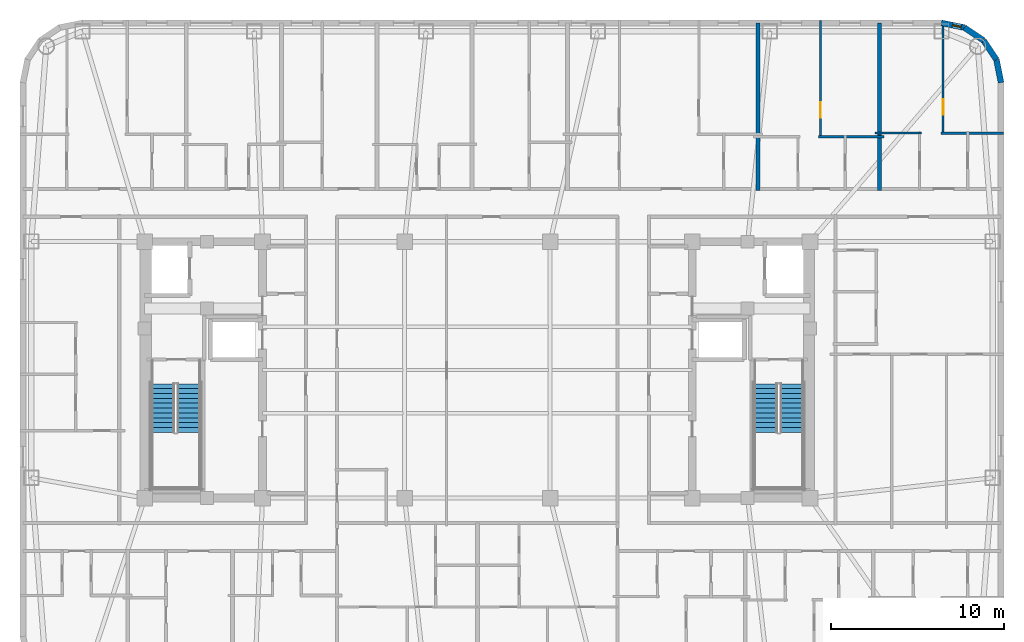
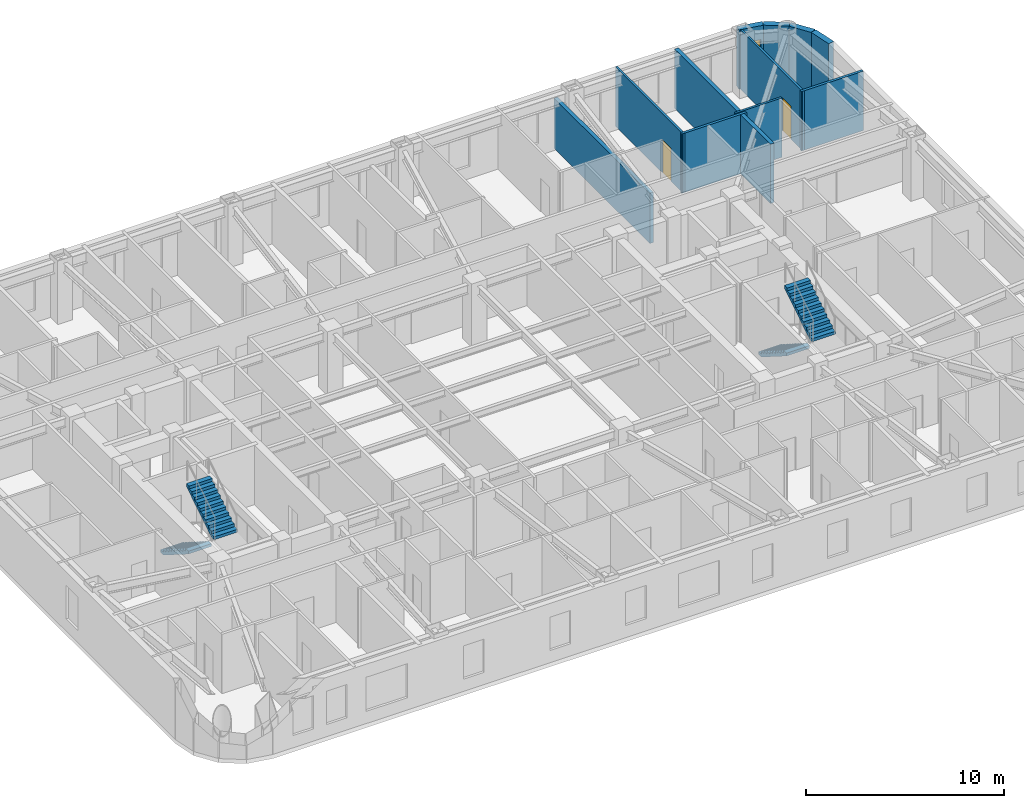
# One storey, part 9 of 11: 11 walls, 4 stair flights, 2 doors, 1 window, 3 openings, 2 elements without a shape of their own.
"""IFC4 building model written with IfcOpenShell, lengths in metres."""

from ifc_helpers import new_model, si_unit, direction, frame, frame_2d, origin, place, context, subcontext, project, spatial, polyline, rectangle, outline, extrude, material, layer, layer_set, type_object, element, fill, aggregate, save


model = new_model("IFC4")

# Units and contexts
model_context = context("Model", 3, precision=1e-05, world=origin(), true_north=direction((0.0, 1.0)))
body_context = subcontext(model_context, "Body", "Model", "MODEL_VIEW")
ifc_project = project(units=[si_unit("LENGTHUNIT", "METRE"), si_unit("AREAUNIT", "SQUARE_METRE"), si_unit("VOLUMEUNIT", "CUBIC_METRE"), si_unit("PLANEANGLEUNIT", "RADIAN"), si_unit("MASSUNIT", "GRAM", prefix="KILO")], contexts=[model_context])

# Site, building, storey
site_placement = place(None, origin())
site = spatial("IfcSite", under=ifc_project, at=site_placement, CompositionType="ELEMENT")
building_placement = place(site_placement, origin())
building = spatial("IfcBuilding", under=site, at=building_placement, Name="Voryun Gate Residences", CompositionType="ELEMENT")
storey_placement = place(building_placement, frame((0.0, 0.0, 239.199951171875)))
storey = spatial("IfcBuildingStorey", under=building, at=storey_placement, Name="L59", CompositionType="ELEMENT", Elevation=239.199951171875)

# Wall, opening, window
ifc_material_1 = material(Name="Charcoal terracotta masonry", Category="masonry")
ifc_layer_1 = layer(ifc_material_1, 0.340087890625, Name="W_EXT_TERRACOTTA_340")
ifc_layer_set_1 = layer_set([ifc_layer_1], Name="Charcoal terracotta masonry")
wall_type_1 = type_object("IfcWallType", Name="W_EXT_TERRACOTTA_340", PredefinedType="ELEMENTEDWALL", material=ifc_layer_set_1)
wall_1_placement = place(storey_placement, frame((26.783203125, 20.030029296875, 0.0), z_axis=(0.0, 0.0, 1.0), x_axis=(0.980788153188, -0.195075878998, 0.0)))
wall_1 = element("IfcWall", 1, at=wall_1_placement, inside=storey, type_object=wall_type_1, Name="Exterior wall WEXT-L59-12", PredefinedType="ELEMENTEDWALL", context=body_context, shape_type="SweptSolid", body=[
    extrude(rectangle(XDim=1.354248046875, YDim=0.340087890625, at=frame_2d((0.67724609375, 0.0))), origin(), (0.0, 0.0, 1.0), 3.650146484375),
])
opening_1_placement = place(wall_1_placement, frame((0.656982421875, 0.0, 0.75)))
opening_1 = element("IfcOpeningElement", 2, at=opening_1_placement, cuts=wall_1, Name="Opening WN10", PredefinedType="OPENING", context=body_context, shape_type="SweptSolid", body=[
    extrude(rectangle(XDim=0.52001953125, YDim=2.050048828125, at=frame_2d((0.260009765625, 1.02490234375))), frame((0.0, 0.179931640625, 0.0), z_axis=(0.0, -1.0, 0.0), x_axis=(1.0, 0.0, 0.0)), (0.0, 0.0, 1.0), 0.360107421875),
])
ifc_material_2 = material(Name="Laminated low-E glass", Category="glass")
window_type = type_object("IfcWindowType", Name="WN_PAGODA_LANCET_520", PartitioningType="SINGLE_PANEL", PredefinedType="WINDOW", material=ifc_material_2)
window_placement = place(opening_1_placement, origin())
window = element("IfcWindow", 3, at=window_placement, inside=storey, type_object=window_type, Name="Window WN-L59-DWFIX-14", OverallHeight=2.050048828125, OverallWidth=0.52001953125, PartitioningType="SINGLE_PANEL", PredefinedType="WINDOW", context=body_context, shape_type="SweptSolid", body=[
    extrude(rectangle(XDim=0.52001953125, YDim=2.050048828125, at=frame_2d((0.260009765625, 1.02490234375))), frame((0.0, 0.030029296875, 0.0), z_axis=(0.0, -1.0, 0.0), x_axis=(1.0, 0.0, 0.0)), (0.0, 0.0, 1.0), 0.06005859375),
])
fill(opening_1, window)

# Walls
for number, where, z_axis, x_axis, name in (
    (4, (28.111328125, 19.765869140625, 0.0), (0.0, 0.0, 1.0), (0.831403586725, -0.555669034571, 0.0), "Exterior wall WEXT-L59-13"),
    (5, (29.222900390625, 19.02294921875, 0.0), (0.0, 0.0, 1.0), (0.555669034571, -0.831403586725, 0.0), "Exterior wall WEXT-L59-14"),
):
    element("IfcWall", number, at=place(storey_placement, frame(where, z_axis=z_axis, x_axis=x_axis)), inside=storey, type_object=wall_type_1, Name=name, PredefinedType="ELEMENTEDWALL", context=body_context, shape_type="SweptSolid", body=[
        extrude(rectangle(XDim=1.3369140625, YDim=0.340087890625, at=frame_2d((0.66845703125, 0.0))), origin(), (0.0, 0.0, 1.0), 3.650146484375),
    ])
wall_2_placement = place(storey_placement, frame((29.9658203125, 17.911376953125, 0.0), z_axis=(0.0, 0.0, 1.0), x_axis=(0.195075878998, -0.980788153188, 0.0)))
element("IfcWall", 6, at=wall_2_placement, inside=storey, type_object=wall_type_1, Name="Exterior wall WEXT-L59-15", PredefinedType="ELEMENTEDWALL", context=body_context, shape_type="SweptSolid", body=[
    extrude(rectangle(XDim=1.354248046875, YDim=0.340087890625, at=frame_2d((0.67724609375, 0.0))), origin(), (0.0, 0.0, 1.0), 3.650146484375),
])
ifc_material_3 = material(Name="Concrete C40/50", Category="concrete")
ifc_layer_2 = layer(ifc_material_3, 0.219970703125, Name="W_PARTY_ACOUSTIC_220")
ifc_layer_set_2 = layer_set([ifc_layer_2], Name="Concrete C40/50")
wall_type_2 = type_object("IfcWallType", Name="W_PARTY_ACOUSTIC_220", PredefinedType="PARTITIONING", material=ifc_layer_set_2)
wall_3_placement = place(storey_placement, frame((16.199951171875, 10.3701171875, 0.0), z_axis=(0.0, 0.0, 1.0), x_axis=(0.0, 1.0, 0.0)))
element("IfcWall", 7, at=wall_3_placement, inside=storey, type_object=wall_type_2, Name="Partition wall WP-L59-NPTY-6", PredefinedType="PARTITIONING", context=body_context, shape_type="SweptSolid", body=[
    extrude(rectangle(XDim=9.659912109375, YDim=0.219970703125, at=frame_2d((4.830078125, 0.0))), origin(), (0.0, 0.0, 1.0), 3.090087890625),
])
wall_4_placement = place(storey_placement, frame((23.218017578125, 10.3701171875, 0.0), z_axis=(0.0, 0.0, 1.0), x_axis=(0.0, 1.0, 0.0)))
element("IfcWall", 8, at=wall_4_placement, inside=storey, type_object=wall_type_2, Name="Partition wall WP-L59-NPTY-7", PredefinedType="PARTITIONING", context=body_context, shape_type="SweptSolid", body=[
    extrude(rectangle(XDim=9.659912109375, YDim=0.219970703125, at=frame_2d((4.830078125, 0.0))), origin(), (0.0, 0.0, 1.0), 3.650146484375),
])

# Wall, opening, door
ifc_material_4 = material(Name="Gypsum acoustic partition")
ifc_layer_3 = layer(ifc_material_4, 0.125, Name="W_UNIT_PART_125")
ifc_layer_set_3 = layer_set([ifc_layer_3], Name="Gypsum acoustic partition")
wall_type_3 = type_object("IfcWallType", Name="W_UNIT_PART_125", PredefinedType="PARTITIONING", material=ifc_layer_set_3)
wall_5_placement = place(storey_placement, frame((19.80810546875, 13.3798828125, 0.0), z_axis=(0.0, 0.0, 1.0), x_axis=(0.0, 1.0, 0.0)))
wall_5 = element("IfcWall", 9, at=wall_5_placement, inside=storey, type_object=wall_type_3, Name="Partition wall WP-L59-N7-OVR", PredefinedType="PARTITIONING", context=body_context, shape_type="SweptSolid", body=[
    extrude(rectangle(XDim=6.800048828125, YDim=0.125, at=frame_2d((3.39990234375, 0.0))), origin(), (0.0, 0.0, 1.0), 3.650146484375),
])
opening_2_placement = place(wall_5_placement, frame((1.181884765625, 0.0, 0.0)))
opening_2 = element("IfcOpeningElement", 10, at=opening_2_placement, cuts=wall_5, Name="Opening D-INT-2", PredefinedType="OPENING", context=body_context, shape_type="SweptSolid", body=[
    extrude(rectangle(XDim=0.89990234375, YDim=2.050048828125, at=frame_2d((0.449951171875, 1.02490234375))), frame((0.0, 0.072509765625, 0.0), z_axis=(0.0, -1.0, 0.0), x_axis=(1.0, 0.0, 0.0)), (0.0, 0.0, 1.0), 0.14501953125),
])
ifc_material_5 = material(Name="Architectural oak veneer")
door_type = type_object("IfcDoorType", Name="DR_INT_BATH_900", OperationType="NOTDEFINED", PredefinedType="DOOR", material=ifc_material_5)
door_1_placement = place(opening_2_placement, origin())
door_1 = element("IfcDoor", 11, at=door_1_placement, inside=storey, type_object=door_type, Name="Door DR-L59-N7-DMB", OperationType="SINGLE_SWING_RIGHT", OverallHeight=2.050048828125, OverallWidth=0.89990234375, PredefinedType="DOOR", context=body_context, shape_type="SweptSolid", body=[
    extrude(rectangle(XDim=0.89990234375, YDim=2.050048828125, at=frame_2d((0.449951171875, 1.02490234375))), frame((0.0, 0.02490234375, 0.0), z_axis=(0.0, -1.0, 0.0), x_axis=(1.0, 0.0, 0.0)), (0.0, 0.0, 1.0), 0.050048828125),
])
fill(opening_2, door_1)

wall_6_placement = place(storey_placement, frame((26.886962890625, 13.590087890625, 0.0), z_axis=(0.0, 0.0, 1.0), x_axis=(0.0, 1.0, 0.0)))
wall_6 = element("IfcWall", 12, at=wall_6_placement, inside=storey, type_object=wall_type_3, Name="Partition wall WP-L59-N8-OVR", PredefinedType="PARTITIONING", context=body_context, shape_type="SweptSolid", body=[
    extrude(rectangle(XDim=6.572265625, YDim=0.125, at=frame_2d((3.2861328125, 0.0))), origin(), (0.0, 0.0, 1.0), 3.650146484375),
])
opening_3_placement = place(wall_6_placement, frame((1.12744140625, 0.0, 0.0)))
opening_3 = element("IfcOpeningElement", 13, at=opening_3_placement, cuts=wall_6, Name="Opening D-INT-2", PredefinedType="OPENING", context=body_context, shape_type="SweptSolid", body=[
    extrude(rectangle(XDim=0.89990234375, YDim=2.050048828125, at=frame_2d((0.449951171875, 1.02490234375))), frame((0.0, 0.072509765625, 0.0), z_axis=(0.0, -1.0, 0.0), x_axis=(1.0, 0.0, 0.0)), (0.0, 0.0, 1.0), 0.14501953125),
])
door_2_placement = place(opening_3_placement, origin())
door_2 = element("IfcDoor", 14, at=door_2_placement, inside=storey, type_object=door_type, Name="Door DR-L59-N8-DMB", OperationType="SINGLE_SWING_RIGHT", OverallHeight=2.050048828125, OverallWidth=0.89990234375, PredefinedType="DOOR", context=body_context, shape_type="SweptSolid", body=[
    extrude(rectangle(XDim=0.89990234375, YDim=2.050048828125, at=frame_2d((0.449951171875, 1.02490234375))), frame((0.0, 0.02490234375, 0.0), z_axis=(0.0, -1.0, 0.0), x_axis=(1.0, 0.0, 0.0)), (0.0, 0.0, 1.0), 0.050048828125),
])
fill(opening_3, door_2)

# Walls
wall_7_placement = place(storey_placement, frame((22.9580078125, 13.669921875, 0.0), z_axis=(0.0, 0.0, 1.0), x_axis=(1.0, 0.0, 0.0)))
element("IfcWall", 15, at=wall_7_placement, inside=storey, type_object=wall_type_3, Name="Partition wall WP-L59-N8-HZK", PredefinedType="PARTITIONING", context=body_context, shape_type="SweptSolid", body=[
    extrude(rectangle(XDim=2.68994140625, YDim=0.125, at=frame_2d((1.344970703125, 0.0))), origin(), (0.0, 0.0, 1.0), 3.650146484375),
])
ifc_material_6 = material(Name="Gypsum moisture-resistant partition")
ifc_layer_4 = layer(ifc_material_6, 0.14990234375, Name="W_WET_PLUMB_150")
ifc_layer_set_4 = layer_set([ifc_layer_4], Name="Gypsum moisture-resistant partition")
wall_type_4 = type_object("IfcWallType", Name="W_WET_PLUMB_150", PredefinedType="PLUMBINGWALL", material=ifc_layer_set_4)
wall_8_placement = place(storey_placement, frame((19.68798828125, 13.4599609375, 0.0), z_axis=(0.0, 0.0, 1.0), x_axis=(1.0, 0.0, 0.0)))
element("IfcWall", 16, at=wall_8_placement, inside=storey, type_object=wall_type_4, Name="Partition wall WP-L59-N7-HZB", PredefinedType="PLUMBINGWALL", context=body_context, shape_type="SweptSolid", body=[
    extrude(rectangle(XDim=3.7900390625, YDim=0.14990234375, at=frame_2d((1.89501953125, 0.0))), origin(), (0.0, 0.0, 1.0), 3.650146484375),
])
wall_9_placement = place(storey_placement, frame((26.76708984375, 13.669921875, 0.0), z_axis=(0.0, 0.0, 1.0), x_axis=(1.0, 0.0, 0.0)))
element("IfcWall", 17, at=wall_9_placement, inside=storey, type_object=wall_type_4, Name="Partition wall WP-L59-N8-HZB", PredefinedType="PLUMBINGWALL", context=body_context, shape_type="SweptSolid", body=[
    extrude(rectangle(XDim=3.61279296875, YDim=0.14990234375, at=frame_2d((1.806396484375, 0.0))), origin(), (0.0, 0.0, 1.0), 3.650146484375),
])

# Stair, stair flights
ifc_material_7 = material(Name="Concrete C40/50", Category="concrete")
stair_type = type_object("IfcStairType", Name="STR_CORE_DOGLEG_1350", PredefinedType="HALF_TURN_STAIR", material=ifc_material_7)
stair_1_placement = place(storey_placement, origin())
stair_1 = element("IfcStair", 18, at=stair_1_placement, inside=storey, type_object=stair_type, Name="L59 Special Escape Stair ST-W1", PredefinedType="HALF_TURN_STAIR")
ifc_material_8 = material(Name="Concrete C40/50", Category="concrete")
stair_flight_type = type_object("IfcStairFlightType", Name="FLT_CORE_1350", PredefinedType="STRAIGHT", material=ifc_material_8)
stair_flight_1_placement = place(storey_placement, frame((-18.14990234375, -0.800048828125, 0.0), z_axis=(0.0, 0.0, 1.0), x_axis=(0.0, -1.0, 0.0)))
stair_flight_1 = element("IfcStairFlight", 19, at=stair_flight_1_placement, type_object=stair_flight_type, Name="ST-W1 flight 1", NumberOfRisers=11, NumberOfTreads=10, PredefinedType="STRAIGHT", RiserHeight=0.177272727, TreadLength=0.28, context=body_context, shape_type="SweptSolid", body=[
    extrude(outline(polyline([(0.0, 0.0), (0.0, 0.17724609375), (0.280029296875, 0.17724609375), (0.280029296875, 0.3544921875), (0.56005859375, 0.3544921875), (0.56005859375, 0.53173828125), (0.840087890625, 0.53173828125), (0.840087890625, 0.708984375), (1.1201171875, 0.708984375), (1.1201171875, 0.886474609375), (1.39990234375, 0.886474609375), (1.39990234375, 1.063720703125), (1.679931640625, 1.063720703125), (1.679931640625, 1.240966796875), (1.9599609375, 1.240966796875), (1.9599609375, 1.418212890625), (2.239990234375, 1.418212890625), (2.239990234375, 1.595458984375), (2.52001953125, 1.595458984375), (2.52001953125, 1.772705078125), (2.800048828125, 1.772705078125), (2.800048828125, 1.949951171875), (2.800048828125, 1.59521484375), (0.2802734375, 0.0), (0.0, 0.0)])), frame((0.0, 0.675048828125, 0.0), z_axis=(0.0, -1.0, 0.0), x_axis=(1.0, 0.0, 0.0)), (0.0, 0.0, 1.0), 1.35009765625),
])
stair_flight_2_placement = place(storey_placement, frame((-16.64990234375, -3.60009765625, 1.949951171875), z_axis=(0.0, 0.0, 1.0), x_axis=(0.0, 1.0, 0.0)))
stair_flight_2 = element("IfcStairFlight", 20, at=stair_flight_2_placement, type_object=stair_flight_type, Name="ST-W1 flight 2", NumberOfRisers=11, NumberOfTreads=10, PredefinedType="STRAIGHT", RiserHeight=0.177272727, TreadLength=0.28, context=body_context, shape_type="SweptSolid", body=[
    extrude(outline(polyline([(0.0, 0.0), (0.0, 0.17724609375), (0.280029296875, 0.17724609375), (0.280029296875, 0.3544921875), (0.56005859375, 0.3544921875), (0.56005859375, 0.53173828125), (0.840087890625, 0.53173828125), (0.840087890625, 0.708984375), (1.1201171875, 0.708984375), (1.1201171875, 0.886474609375), (1.39990234375, 0.886474609375), (1.39990234375, 1.063720703125), (1.679931640625, 1.063720703125), (1.679931640625, 1.240966796875), (1.9599609375, 1.240966796875), (1.9599609375, 1.418212890625), (2.239990234375, 1.418212890625), (2.239990234375, 1.595458984375), (2.52001953125, 1.595458984375), (2.52001953125, 1.772705078125), (2.800048828125, 1.772705078125), (2.800048828125, 1.949951171875), (2.800048828125, 1.59521484375), (0.2802734375, 0.0), (0.0, 0.0)])), frame((0.0, 0.675048828125, 0.0), z_axis=(0.0, -1.0, 0.0), x_axis=(1.0, 0.0, 0.0)), (0.0, 0.0, 1.0), 1.35009765625),
])
aggregate(stair_1, [stair_flight_1, stair_flight_2])

stair_2_placement = place(storey_placement, origin())
stair_2 = element("IfcStair", 21, at=stair_2_placement, inside=storey, type_object=stair_type, Name="L59 Special Escape Stair ST-E1", PredefinedType="HALF_TURN_STAIR")
stair_flight_3_placement = place(storey_placement, frame((16.64990234375, -0.800048828125, 0.0), z_axis=(0.0, 0.0, 1.0), x_axis=(0.0, -1.0, 0.0)))
stair_flight_3 = element("IfcStairFlight", 22, at=stair_flight_3_placement, type_object=stair_flight_type, Name="ST-E1 flight 1", NumberOfRisers=11, NumberOfTreads=10, PredefinedType="STRAIGHT", RiserHeight=0.177272727, TreadLength=0.28, context=body_context, shape_type="SweptSolid", body=[
    extrude(outline(polyline([(0.0, 0.0), (0.0, 0.17724609375), (0.280029296875, 0.17724609375), (0.280029296875, 0.3544921875), (0.56005859375, 0.3544921875), (0.56005859375, 0.53173828125), (0.840087890625, 0.53173828125), (0.840087890625, 0.708984375), (1.1201171875, 0.708984375), (1.1201171875, 0.886474609375), (1.39990234375, 0.886474609375), (1.39990234375, 1.063720703125), (1.679931640625, 1.063720703125), (1.679931640625, 1.240966796875), (1.9599609375, 1.240966796875), (1.9599609375, 1.418212890625), (2.239990234375, 1.418212890625), (2.239990234375, 1.595458984375), (2.52001953125, 1.595458984375), (2.52001953125, 1.772705078125), (2.800048828125, 1.772705078125), (2.800048828125, 1.949951171875), (2.800048828125, 1.59521484375), (0.2802734375, 0.0), (0.0, 0.0)])), frame((0.0, 0.675048828125, 0.0), z_axis=(0.0, -1.0, 0.0), x_axis=(1.0, 0.0, 0.0)), (0.0, 0.0, 1.0), 1.35009765625),
])
stair_flight_4_placement = place(storey_placement, frame((18.14990234375, -3.60009765625, 1.949951171875), z_axis=(0.0, 0.0, 1.0), x_axis=(0.0, 1.0, 0.0)))
stair_flight_4 = element("IfcStairFlight", 23, at=stair_flight_4_placement, type_object=stair_flight_type, Name="ST-E1 flight 2", NumberOfRisers=11, NumberOfTreads=10, PredefinedType="STRAIGHT", RiserHeight=0.177272727, TreadLength=0.28, context=body_context, shape_type="SweptSolid", body=[
    extrude(outline(polyline([(0.0, 0.0), (0.0, 0.17724609375), (0.280029296875, 0.17724609375), (0.280029296875, 0.3544921875), (0.56005859375, 0.3544921875), (0.56005859375, 0.53173828125), (0.840087890625, 0.53173828125), (0.840087890625, 0.708984375), (1.1201171875, 0.708984375), (1.1201171875, 0.886474609375), (1.39990234375, 0.886474609375), (1.39990234375, 1.063720703125), (1.679931640625, 1.063720703125), (1.679931640625, 1.240966796875), (1.9599609375, 1.240966796875), (1.9599609375, 1.418212890625), (2.239990234375, 1.418212890625), (2.239990234375, 1.595458984375), (2.52001953125, 1.595458984375), (2.52001953125, 1.772705078125), (2.800048828125, 1.772705078125), (2.800048828125, 1.949951171875), (2.800048828125, 1.59521484375), (0.2802734375, 0.0), (0.0, 0.0)])), frame((0.0, 0.675048828125, 0.0), z_axis=(0.0, -1.0, 0.0), x_axis=(1.0, 0.0, 0.0)), (0.0, 0.0, 1.0), 1.35009765625),
])
aggregate(stair_2, [stair_flight_3, stair_flight_4])

save(model, "model.ifc")
